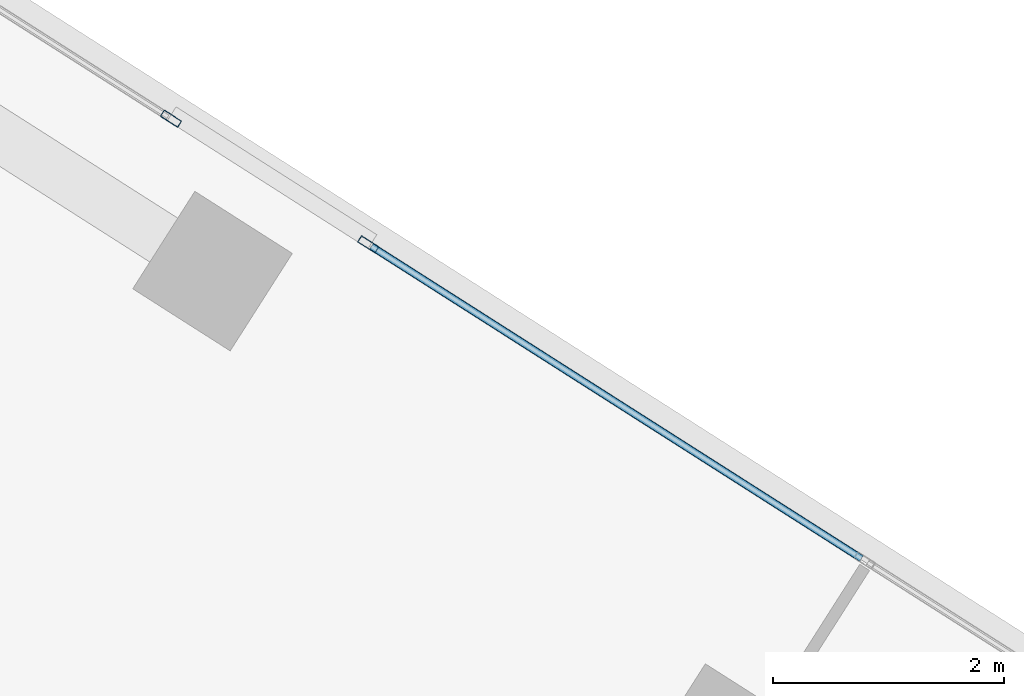
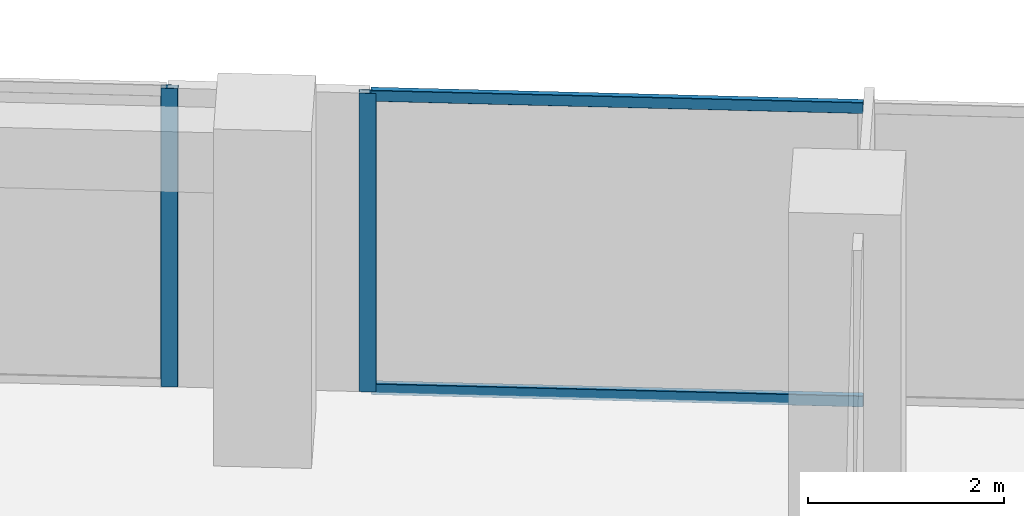
# One storey, part 10 of 23: 4 members, 2 elements without a shape of their own.
"""IFC4 building model written with IfcOpenShell, lengths in metres."""

from ifc_helpers import new_model, si_unit, direction, frame, origin, origin_2d, place, context, subcontext, project, spatial, hollow_rectangle, extrude, source, transform, mapped, material, material_profile, profile_set, type_object, element, aggregate, save


model = new_model("IFC4")

# Units and contexts
model_context = context("Model", 3, precision=1e-05, world=origin(), true_north=direction((0.0, 1.0)))
body_context = subcontext(model_context, "Body", "Model", "MODEL_VIEW")
ifc_project = project(units=[si_unit("LENGTHUNIT", "METRE"), si_unit("AREAUNIT", "SQUARE_METRE"), si_unit("VOLUMEUNIT", "CUBIC_METRE"), si_unit("PLANEANGLEUNIT", "RADIAN"), si_unit("MASSUNIT", "GRAM", prefix="KILO")], contexts=[model_context])

# Site, building, storey
site_placement = place(None, origin())
site = spatial("IfcSite", under=ifc_project, at=site_placement, CompositionType="ELEMENT")
building_placement = place(site_placement, origin())
building = spatial("IfcBuilding", under=site, at=building_placement, Name="Torre Montelarca", CompositionType="ELEMENT")
storey_placement = place(building_placement, frame((0.0, 0.0, 187.60009765625)))
storey = spatial("IfcBuildingStorey", under=building, at=storey_placement, Name="L42", CompositionType="ELEMENT", Elevation=187.60009765625)

# Curtain wall, member
ifc_material_1 = material(Name="Insulated low-E laminated glass", Category="glass")
curtain_wall_type = type_object("IfcCurtainWallType", Name="CW-SYS-Z2", PredefinedType="USERDEFINED", material=ifc_material_1)
curtain_wall_1_placement = place(storey_placement, origin())
curtain_wall_1 = element("IfcCurtainWall", 1, at=curtain_wall_1_placement, inside=storey, type_object=curtain_wall_type, Name="L42 Curtain Wall Run CW-T3-L42-E08-B1", ObjectType="UNITISED GLAZING", PredefinedType="USERDEFINED")
ifc_material_2 = material(Name="Anodised aluminium AA 6063-T6", Category="aluminium")
ifc_material_profile_1 = material_profile(ifc_material_2, hollow_rectangle(XDim=0.06494140625, YDim=0.179931640625, WallThickness=0.00390625, InnerFilletRadius=0.00390625, OuterFilletRadius=0.008056640625, at=origin_2d()), Name="ALU65X180X4", Category="aluminium")
ifc_profile_set_1 = profile_set([ifc_material_profile_1], Name="Anodised aluminium AA 6063-T6")
member_type_1 = type_object("IfcMemberType", Name="CWM-ALU180", PredefinedType="MULLION", material=ifc_profile_set_1)
shared_shape_1 = source(origin(), body_context, "Body", "SweptSolid", [
    extrude(hollow_rectangle(XDim=0.06494140625, YDim=0.179931640625, WallThickness=0.00390625, InnerFilletRadius=0.00390625, OuterFilletRadius=0.008056640625, at=origin_2d()), origin(), (0.0, 0.0, 1.0), 3.719970703125),
])
member_1_placement = place(storey_placement, frame((43.217529296875, 37.218505859375, 0.0), z_axis=(0.0, 0.0, 1.0), x_axis=(-0.537301360815, -0.843390329365, 0.0)))
member_1 = element("IfcMember", 2, at=member_1_placement, type_object=member_type_1, Name="CW mullion 3", PredefinedType="MULLION", context=body_context, shape_type="MappedRepresentation", body=[
    mapped(shared_shape_1, transform((0.0, 0.0, 0.0), scale=1.0)),
])

curtain_wall_2_placement = place(storey_placement, origin())
curtain_wall_2 = element("IfcCurtainWall", 3, at=curtain_wall_2_placement, inside=storey, type_object=curtain_wall_type, Name="L42 Curtain Wall Run CW-T3-L42-E08-B2", ObjectType="UNITISED GLAZING", PredefinedType="USERDEFINED")
member_2_placement = place(storey_placement, frame((41.509765625, 38.306396484375, 0.0), z_axis=(0.0, 0.0, 1.0), x_axis=(-0.537299136145, -0.843391746638, 0.0)))
member_2 = element("IfcMember", 4, at=member_2_placement, type_object=member_type_1, Name="CW mullion 1", PredefinedType="MULLION", context=body_context, shape_type="MappedRepresentation", body=[
    mapped(shared_shape_1, transform((0.0, 0.0, 0.0), scale=1.0)),
])
aggregate(curtain_wall_2, [member_2])

# Member
ifc_material_profile_2 = material_profile(ifc_material_2, hollow_rectangle(XDim=0.06494140625, YDim=0.139892578125, WallThickness=0.00390625, InnerFilletRadius=0.00390625, OuterFilletRadius=0.008056640625, at=origin_2d()), Name="ALU65X140X4", Category="aluminium")
ifc_profile_set_2 = profile_set([ifc_material_profile_2], Name="Anodised aluminium AA 6063-T6")
member_type_2 = type_object("IfcMemberType", Name="CWT-ALU140", PredefinedType="USERDEFINED", material=ifc_profile_set_2)
shared_shape_2 = source(origin(), body_context, "Body", "SweptSolid", [
    extrude(hollow_rectangle(XDim=0.06494140625, YDim=0.139892578125, WallThickness=0.00390625, InnerFilletRadius=0.00390625, OuterFilletRadius=0.008056640625, at=origin_2d()), origin(), (0.0, 0.0, 1.0), 5.029541015625),
])
member_3_placement = place(storey_placement, frame((47.48681640625, 34.49853515625, 0.032470703125), z_axis=(-0.843393552653, 0.537296301256, 0.0), x_axis=(-0.537296301256, -0.843393552653, 0.0)))
member_3 = element("IfcMember", 5, at=member_3_placement, type_object=member_type_2, Name="CW transom 2.1", ObjectType="TRANSOM", PredefinedType="USERDEFINED", context=body_context, shape_type="MappedRepresentation", body=[
    mapped(shared_shape_2, transform((0.0, 0.0, 0.0), scale=1.0)),
])

member_4_placement = place(storey_placement, frame((47.48681640625, 34.49853515625, 3.6875), z_axis=(-0.843393552653, 0.537296301256, 0.0), x_axis=(-0.537296301256, -0.843393552653, 0.0)))
member_4 = element("IfcMember", 6, at=member_4_placement, type_object=member_type_2, Name="CW transom 2.2", ObjectType="TRANSOM", PredefinedType="USERDEFINED", context=body_context, shape_type="MappedRepresentation", body=[
    mapped(shared_shape_2, transform((0.0, 0.0, 0.0), scale=1.0)),
])

aggregate(curtain_wall_1, [member_1, member_3, member_4])

save(model, "model.ifc")
